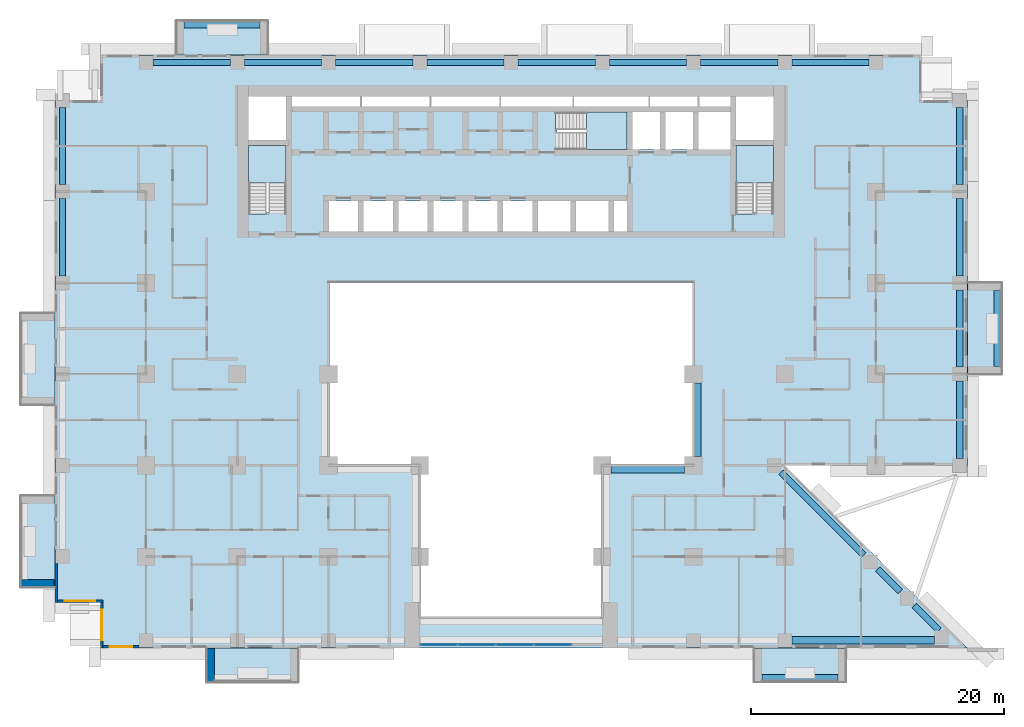
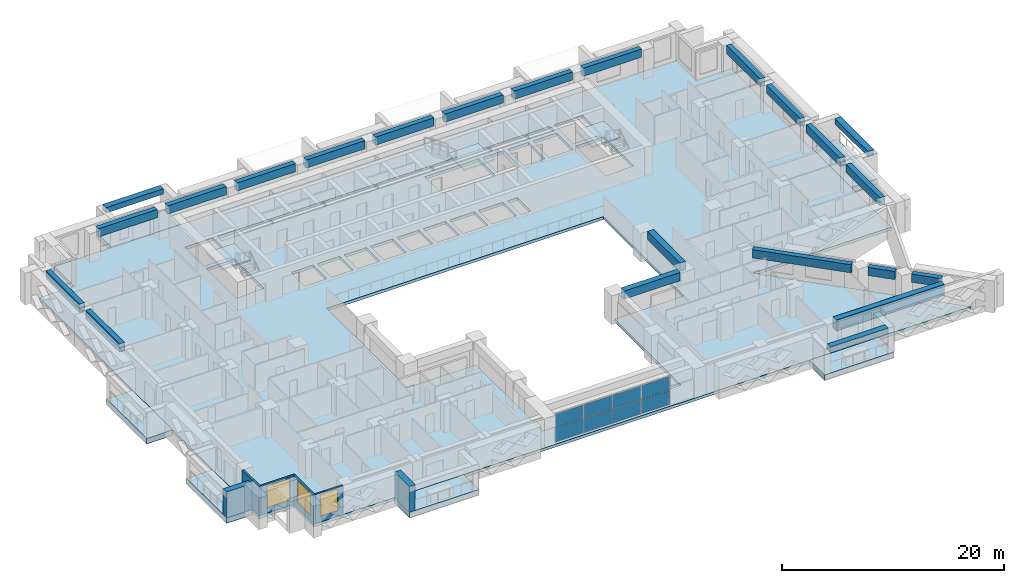
# One storey, part 5 of 17: 23 beams, 10 slabs, 8 plates, 6 walls, 3 windows, 3 openings, 4 elements without a shape of their own.
"""IFC4 building model written with IfcOpenShell, lengths in metres."""

from ifc_helpers import new_model, si_unit, direction, frame, frame_2d, origin, origin_2d, place, context, subcontext, project, spatial, polyline, rectangle, outline, extrude, source, transform, mapped, material, layer, layer_set, material_profile, profile_set, type_object, element, fill, aggregate, save


model = new_model("IFC4")

# Units and contexts
model_context = context("Model", 3, precision=1e-05, world=origin(), true_north=direction((0.0, 1.0)))
body_context = subcontext(model_context, "Body", "Model", "MODEL_VIEW")
ifc_project = project(units=[si_unit("LENGTHUNIT", "METRE"), si_unit("AREAUNIT", "SQUARE_METRE"), si_unit("VOLUMEUNIT", "CUBIC_METRE"), si_unit("PLANEANGLEUNIT", "RADIAN"), si_unit("MASSUNIT", "GRAM", prefix="KILO")], contexts=[model_context])

# Site, building, storey
site_placement = place(None, origin())
site = spatial("IfcSite", under=ifc_project, at=site_placement, CompositionType="ELEMENT")
building_placement = place(site_placement, origin())
building = spatial("IfcBuilding", under=site, at=building_placement, Name="Saffron Iwan Residences", CompositionType="ELEMENT")
storey_placement = place(building_placement, frame((0.0, 0.0, 51.5)))
storey = spatial("IfcBuildingStorey", under=building, at=storey_placement, Name="L12", CompositionType="ELEMENT", Elevation=51.5)

# Beams
ifc_material_1 = material(Name="Concrete C60/75", Category="concrete")
ifc_material_profile_1 = material_profile(ifc_material_1, rectangle(XDim=0.5, YDim=0.89990234375, at=origin_2d()), Name="RC 500x900")
ifc_profile_set_1 = profile_set([ifc_material_profile_1], Name="Concrete C60/75")
beam_type_1 = type_object("IfcBeamType", Name="SPANDREL BEAM RC 500x900 C60/75 TOP 3180", PredefinedType="SPANDREL", material=ifc_profile_set_1)
shared_shape_1 = source(origin(), body_context, "Body", "SweptSolid", [
    extrude(rectangle(XDim=0.5, YDim=0.89990234375, at=origin_2d()), origin(), (0.0, 0.0, 1.0), 6.10009765625),
])
for number, where, z_axis, x_axis, name in (
    (1, (85.800048828125, 61.85009765625, 2.72998046875), (0.0, -1.0, 0.0), (1.0, 0.0, 0.0), "Spandrel beam"),
    (2, (15.0, 62.949951171875, 2.72998046875), (0.0, 1.0, 0.0), (-1.0, 0.0, 0.0), "Spandrel beam"),
    (3, (85.800048828125, 69.050048828125, 2.72998046875), (0.0, -1.0, 0.0), (1.0, 0.0, 0.0), "Spandrel beam"),
    (4, (15.0, 70.14990234375, 2.72998046875), (0.0, 1.0, 0.0), (-1.0, 0.0, 0.0), "Spandrel beam"),
    (5, (85.800048828125, 76.25, 2.72998046875), (0.0, -1.0, 0.0), (1.0, 0.0, 0.0), "Spandrel beam"),
    (6, (22.14990234375, 79.800048828125, 2.72998046875), (1.0, 0.0, 0.0), (0.0, 1.0, 0.0), "Spandrel beam"),
    (7, (43.75, 79.800048828125, 2.72998046875), (1.0, 0.0, 0.0), (0.0, 1.0, 0.0), "Spandrel beam"),
    (8, (50.949951171875, 79.800048828125, 2.72998046875), (1.0, 0.0, 0.0), (0.0, 1.0, 0.0), "Spandrel beam"),
    (9, (58.14990234375, 79.800048828125, 2.72998046875), (1.0, 0.0, 0.0), (0.0, 1.0, 0.0), "Spandrel beam"),
):
    element("IfcBeam", number, at=place(storey_placement, frame(where, z_axis=z_axis, x_axis=x_axis)), inside=storey, type_object=beam_type_1, Name=name, PredefinedType="SPANDREL", context=body_context, shape_type="MappedRepresentation", body=[
        mapped(shared_shape_1, transform((0.0, 0.0, 0.0))),
    ])
shared_shape_2 = source(origin(), body_context, "Body", "SweptSolid", [
    extrude(rectangle(XDim=0.5, YDim=0.89990234375, at=origin_2d()), origin(), (0.0, 0.0, 1.0), 6.099853515625),
])
for number, where, z_axis, x_axis, name in (
    (10, (85.800048828125, 54.64990234375, 2.72998046875), (0.0, -1.0, 0.0), (1.0, 0.0, 0.0), "Spandrel beam"),
    (11, (29.35009765625, 79.800048828125, 2.72998046875), (1.0, 0.0, 0.0), (0.0, 1.0, 0.0), "Spandrel beam"),
    (12, (36.550048828125, 79.800048828125, 2.72998046875), (1.0, 0.0, 0.0), (0.0, 1.0, 0.0), "Spandrel beam"),
    (13, (65.35009765625, 79.800048828125, 2.72998046875), (1.0, 0.0, 0.0), (0.0, 1.0, 0.0), "Spandrel beam"),
    (14, (72.550048828125, 79.800048828125, 2.72998046875), (1.0, 0.0, 0.0), (0.0, 1.0, 0.0), "Spandrel beam"),
):
    element("IfcBeam", number, at=place(storey_placement, frame(where, z_axis=z_axis, x_axis=x_axis)), inside=storey, type_object=beam_type_1, Name=name, PredefinedType="SPANDREL", context=body_context, shape_type="MappedRepresentation", body=[
        mapped(shared_shape_2, transform((0.0, 0.0, 0.0))),
    ])
shared_shape_3 = source(origin(), body_context, "Body", "SweptSolid", [
    extrude(rectangle(XDim=0.5, YDim=0.89990234375, at=origin_2d()), origin(), (0.0, 0.0, 1.0), 2.76318359375),
])
beam_1_placement = place(storey_placement, frame((82.205810546875, 36.94580078125, 2.72998046875), z_axis=(0.707106781187, -0.707106781187, 0.0), x_axis=(0.707106781187, 0.707106781187, 0.0)))
element("IfcBeam", 15, at=beam_1_placement, inside=storey, type_object=beam_type_1, Name="Spandrel beam", PredefinedType="SPANDREL", context=body_context, shape_type="MappedRepresentation", body=[
    mapped(shared_shape_3, transform((0.0, 0.0, 0.0))),
])
shared_shape_4 = source(origin(), body_context, "Body", "SweptSolid", [
    extrude(rectangle(XDim=0.5, YDim=0.89990234375, at=origin_2d()), origin(), (0.0, 0.0, 1.0), 2.517333984375),
])
beam_2_placement = place(storey_placement, frame((79.32568359375, 39.82568359375, 2.72998046875), z_axis=(0.707106781187, -0.707106781187, 0.0), x_axis=(0.707106781187, 0.707106781187, 0.0)))
element("IfcBeam", 16, at=beam_2_placement, inside=storey, type_object=beam_type_1, Name="Spandrel beam", PredefinedType="SPANDREL", context=body_context, shape_type="MappedRepresentation", body=[
    mapped(shared_shape_4, transform((0.0, 0.0, 0.0))),
])
shared_shape_5 = source(origin(), body_context, "Body", "SweptSolid", [
    extrude(rectangle(XDim=0.5, YDim=0.89990234375, at=origin_2d()), origin(), (0.0, 0.0, 1.0), 9.228759765625),
])
beam_3_placement = place(storey_placement, frame((71.699951171875, 47.451416015625, 2.72998046875), z_axis=(0.707120008149, -0.707093553977, 0.0), x_axis=(0.707093553977, 0.707120008149, 0.0)))
element("IfcBeam", 17, at=beam_3_placement, inside=storey, type_object=beam_type_1, Name="Spandrel beam", PredefinedType="SPANDREL", context=body_context, shape_type="MappedRepresentation", body=[
    mapped(shared_shape_5, transform((0.0, 0.0, 0.0))),
])
ifc_material_profile_2 = material_profile(ifc_material_1, rectangle(XDim=0.60009765625, YDim=1.199951171875, at=origin_2d()), Name="RC 600x1200")
ifc_profile_set_2 = profile_set([ifc_material_profile_2], Name="Concrete C60/75")
beam_type_2 = type_object("IfcBeamType", Name="LINTEL BEAM RC 600x1200 C60/75 TOP 3180", PredefinedType="LINTEL", material=ifc_profile_set_2)
shared_shape_6 = source(origin(), body_context, "Body", "SweptSolid", [
    extrude(rectangle(XDim=0.60009765625, YDim=1.199951171875, at=origin_2d()), origin(), (0.0, 0.0, 1.0), 11.267333984375),
])
beam_4_placement = place(storey_placement, frame((83.8173828125, 34.199951171875, 2.580078125), z_axis=(-1.0, 0.0, 0.0), x_axis=(0.0, -1.0, 0.0)))
element("IfcBeam", 18, at=beam_4_placement, inside=storey, type_object=beam_type_2, Name="Lintel beam over the iwan", PredefinedType="LINTEL", context=body_context, shape_type="MappedRepresentation", body=[
    mapped(shared_shape_6, transform((0.0, 0.0, 0.0))),
])
ifc_material_profile_3 = material_profile(ifc_material_1, rectangle(XDim=0.60009765625, YDim=0.89990234375, at=origin_2d()), Name="RC 600x900")
ifc_profile_set_3 = profile_set([ifc_material_profile_3], Name="Concrete C60/75")
beam_type_3 = type_object("IfcBeamType", Name="BEAM RC 600x900 C60/75 TOP 3180", PredefinedType="BEAM", material=ifc_profile_set_3)
shared_shape_7 = source(origin(), body_context, "Body", "SweptSolid", [
    extrude(rectangle(XDim=0.60009765625, YDim=0.89990234375, at=origin_2d()), origin(), (0.0, 0.0, 1.0), 5.800048828125),
])
for number, where, z_axis, x_axis, name in (
    (19, (64.10009765625, 47.699951171875, 2.72998046875), (-1.0, 0.0, 0.0), (0.0, -1.0, 0.0), "Atrium edge beam"),
    (20, (65.10009765625, 54.5, 2.72998046875), (0.0, -1.0, 0.0), (1.0, 0.0, 0.0), "Atrium edge beam"),
):
    element("IfcBeam", number, at=place(storey_placement, frame(where, z_axis=z_axis, x_axis=x_axis)), inside=storey, type_object=beam_type_3, Name=name, PredefinedType="BEAM", context=body_context, shape_type="MappedRepresentation", body=[
        mapped(shared_shape_7, transform((0.0, 0.0, 0.0))),
    ])
ifc_material_2 = material(Name="Concrete C50/60 white painted", Category="concrete")
ifc_material_profile_4 = material_profile(ifc_material_2, rectangle(XDim=0.60009765625, YDim=0.60009765625, at=origin_2d()), Name="BALCONY FASCIA BEAM 600 x 600")
ifc_profile_set_4 = profile_set([ifc_material_profile_4], Name="Concrete C50/60 white painted")
beam_type_4 = type_object("IfcBeamType", Name="BALCONY FASCIA BEAM 600 x 600", PredefinedType="BEAM", material=ifc_profile_set_4)
shared_shape_8 = source(origin(), body_context, "Body", "SweptSolid", [
    extrude(rectangle(XDim=0.60009765625, YDim=0.60009765625, at=origin_2d()), origin(), (0.0, 0.0, 1.0), 6.0),
])
for number, where, z_axis, x_axis, name in (
    (21, (88.800048828125, 55.800048828125, 2.550048828125), (0.0, 1.0, 0.0), (-1.0, 0.0, 0.0), "Balcony fascia beam L12 F2-0"),
    (22, (30.60009765625, 82.800048828125, 2.550048828125), (-1.0, 0.0, 0.0), (0.0, -1.0, 0.0), "Balcony fascia beam L12 F5-3"),
    (23, (70.199951171875, 31.199951171875, 2.550048828125), (1.0, 0.0, 0.0), (0.0, 1.0, 0.0), "Balcony fascia beam L12 11-1"),
):
    element("IfcBeam", number, at=place(storey_placement, frame(where, z_axis=z_axis, x_axis=x_axis)), inside=storey, type_object=beam_type_4, Name=name, PredefinedType="BEAM", context=body_context, shape_type="MappedRepresentation", body=[
        mapped(shared_shape_8, transform((0.0, 0.0, 0.0))),
    ])

# Slabs
ifc_layer_1 = layer(ifc_material_2, 0.60009765625)
ifc_layer_set_1 = layer_set([ifc_layer_1], Name="Concrete C50/60 white painted")
slab_type_1 = type_object("IfcSlabType", Name="BALCONY FRAME SLAB 600", PredefinedType="FLOOR", material=ifc_layer_set_1)
slab_1_placement = place(storey_placement, frame((0.0, 0.0, -0.60009765625)))
element("IfcSlab", 24, at=slab_1_placement, inside=storey, type_object=slab_type_1, Name="Balcony frame slab L12 F2-0", PredefinedType="FLOOR", context=body_context, shape_type="SweptSolid", body=[
    extrude(outline(polyline([(89.10009765625, 55.199951171875), (89.10009765625, 62.39990234375), (86.39990234375, 62.39990234375), (86.39990234375, 55.199951171875), (89.10009765625, 55.199951171875)])), origin(), (0.0, 0.0, 1.0), 0.60009765625),
])
slab_2_placement = place(storey_placement, frame((0.0, 0.0, -0.60009765625)))
element("IfcSlab", 25, at=slab_2_placement, inside=storey, type_object=slab_type_1, Name="Balcony frame slab L12 F5-3", PredefinedType="FLOOR", context=body_context, shape_type="SweptSolid", body=[
    extrude(outline(polyline([(31.199951171875, 83.10009765625), (24.0, 83.10009765625), (24.0, 80.39990234375), (31.199951171875, 80.39990234375), (31.199951171875, 83.10009765625)])), origin(), (0.0, 0.0, 1.0), 0.60009765625),
])
slab_3_placement = place(storey_placement, frame((0.0, 0.0, -0.60009765625)))
element("IfcSlab", 26, at=slab_3_placement, inside=storey, type_object=slab_type_1, Name="Balcony frame slab L12 F8-1", PredefinedType="FLOOR", context=body_context, shape_type="SweptSolid", body=[
    extrude(outline(polyline([(11.699951171875, 60.0), (11.699951171875, 52.800048828125), (14.39990234375, 52.800048828125), (14.39990234375, 60.0), (11.699951171875, 60.0)])), origin(), (0.0, 0.0, 1.0), 0.60009765625),
])
slab_4_placement = place(storey_placement, frame((0.0, 0.0, -0.60009765625)))
element("IfcSlab", 27, at=slab_4_placement, inside=storey, type_object=slab_type_1, Name="Balcony frame slab L12 F8-2", PredefinedType="FLOOR", context=body_context, shape_type="SweptSolid", body=[
    extrude(outline(polyline([(11.699951171875, 45.60009765625), (11.699951171875, 38.39990234375), (14.39990234375, 38.39990234375), (14.39990234375, 45.60009765625), (11.699951171875, 45.60009765625)])), origin(), (0.0, 0.0, 1.0), 0.60009765625),
])
slab_5_placement = place(storey_placement, frame((0.0, 0.0, -0.60009765625)))
element("IfcSlab", 28, at=slab_5_placement, inside=storey, type_object=slab_type_1, Name="Balcony frame slab L12 11-0", PredefinedType="FLOOR", context=body_context, shape_type="SweptSolid", body=[
    extrude(outline(polyline([(26.39990234375, 30.89990234375), (33.60009765625, 30.89990234375), (33.60009765625, 33.60009765625), (26.39990234375, 33.60009765625), (26.39990234375, 30.89990234375)])), origin(), (0.0, 0.0, 1.0), 0.60009765625),
])
slab_6_placement = place(storey_placement, frame((0.0, 0.0, -0.60009765625)))
element("IfcSlab", 29, at=slab_6_placement, inside=storey, type_object=slab_type_1, Name="Balcony frame slab L12 11-1", PredefinedType="FLOOR", context=body_context, shape_type="SweptSolid", body=[
    extrude(outline(polyline([(69.60009765625, 30.89990234375), (76.800048828125, 30.89990234375), (76.800048828125, 33.60009765625), (69.60009765625, 33.60009765625), (69.60009765625, 30.89990234375)])), origin(), (0.0, 0.0, 1.0), 0.60009765625),
])
ifc_material_3 = material(Name="Concrete C40/50", Category="concrete")
ifc_layer_2 = layer(ifc_material_3, 0.320068359375)
ifc_layer_set_2 = layer_set([ifc_layer_2], Name="Concrete C40/50")
slab_type_2 = type_object("IfcSlabType", Name="PT PLATE 320 C40/50", PredefinedType="FLOOR", material=ifc_layer_set_2)
slab_7_placement = place(storey_placement, frame((0.0, 0.0, -0.320068359375)))
element("IfcSlab", 30, at=slab_7_placement, inside=storey, type_object=slab_type_2, Name="Floor slab L12", PredefinedType="FLOOR", context=body_context, shape_type="SweptSolid", body=[
    extrude(outline(polyline([(14.39990234375, 37.199951171875), (14.39990234375, 76.800048828125), (18.0, 76.800048828125), (18.0, 80.39990234375), (82.800048828125, 80.39990234375), (82.800048828125, 76.800048828125), (86.39990234375, 76.800048828125), (86.39990234375, 48.0), (72.0, 48.0), (86.39990234375, 33.60009765625), (18.0, 33.60009765625), (18.0, 37.199951171875), (14.39990234375, 37.199951171875)]), holes=[polyline([(64.800048828125, 48.0), (64.800048828125, 62.39990234375), (36.0, 62.39990234375), (36.0, 48.0), (43.199951171875, 48.0), (43.199951171875, 36.0), (57.60009765625, 36.0), (57.60009765625, 48.0), (64.800048828125, 48.0)]), polyline([(38.324951171875, 68.875), (36.02490234375, 68.875), (36.02490234375, 66.449951171875), (38.324951171875, 66.449951171875), (38.324951171875, 68.875)]), polyline([(41.074951171875, 66.449951171875), (41.074951171875, 68.875), (38.77490234375, 68.875), (38.77490234375, 66.449951171875), (41.074951171875, 66.449951171875)]), polyline([(43.824951171875, 66.449951171875), (43.824951171875, 68.875), (41.52490234375, 68.875), (41.52490234375, 66.449951171875), (43.824951171875, 66.449951171875)]), polyline([(46.574951171875, 68.875), (44.27490234375, 68.875), (44.27490234375, 66.449951171875), (46.574951171875, 66.449951171875), (46.574951171875, 68.875)]), polyline([(49.324951171875, 66.449951171875), (49.324951171875, 68.875), (47.02490234375, 68.875), (47.02490234375, 66.449951171875), (49.324951171875, 66.449951171875)]), polyline([(52.074951171875, 66.449951171875), (52.074951171875, 68.875), (49.77490234375, 68.875), (49.77490234375, 66.449951171875), (52.074951171875, 66.449951171875)]), polyline([(29.699951171875, 73.25), (29.699951171875, 67.949951171875), (29.699951171875, 67.8505859375), (31.10009765625, 67.8505859375), (31.10009765625, 67.949951171875), (32.64990234375, 67.949951171875), (32.64990234375, 73.25), (29.699951171875, 73.25)]), polyline([(32.64990234375, 73.699951171875), (32.64990234375, 77.10009765625), (29.699951171875, 77.10009765625), (29.699951171875, 73.699951171875), (32.64990234375, 73.699951171875)]), polyline([(38.5, 76.324951171875), (38.5, 77.10009765625), (33.10009765625, 77.10009765625), (33.10009765625, 76.324951171875), (38.5, 76.324951171875)]), polyline([(44.0, 77.10009765625), (38.60009765625, 77.10009765625), (38.60009765625, 76.324951171875), (44.0, 76.324951171875), (44.0, 77.10009765625)]), polyline([(49.5, 76.324951171875), (49.5, 77.10009765625), (44.10009765625, 77.10009765625), (44.10009765625, 76.324951171875), (49.5, 76.324951171875)]), polyline([(55.25, 76.324951171875), (55.25, 77.10009765625), (49.60009765625, 77.10009765625), (49.60009765625, 76.324951171875), (55.25, 76.324951171875)]), polyline([(55.074951171875, 68.875), (52.52490234375, 68.875), (52.52490234375, 66.449951171875), (55.074951171875, 66.449951171875), (55.074951171875, 68.875)]), polyline([(58.074951171875, 66.449951171875), (58.074951171875, 68.875), (55.52490234375, 68.875), (55.52490234375, 66.449951171875), (58.074951171875, 66.449951171875)]), polyline([(59.550048828125, 66.449951171875), (59.550048828125, 68.875), (58.52490234375, 68.875), (58.52490234375, 66.449951171875), (59.550048828125, 66.449951171875)]), polyline([(68.14990234375, 73.25), (68.14990234375, 67.949951171875), (68.14990234375, 67.8505859375), (69.550048828125, 67.8505859375), (69.550048828125, 67.949951171875), (71.10009765625, 67.949951171875), (71.10009765625, 73.25), (68.14990234375, 73.25)]), polyline([(53.925537109375, 74.47509765625), (54.02490234375, 74.47509765625), (54.02490234375, 72.925048828125), (59.550048828125, 72.925048828125), (59.550048828125, 75.875), (54.02490234375, 75.875), (53.925537109375, 75.875), (53.925537109375, 74.47509765625)]), polyline([(62.14990234375, 72.925048828125), (62.14990234375, 75.875), (60.0, 75.875), (60.0, 72.925048828125), (62.14990234375, 72.925048828125)]), polyline([(64.75, 75.875), (62.60009765625, 75.875), (62.60009765625, 72.925048828125), (64.75, 72.925048828125), (64.75, 75.875)]), polyline([(67.699951171875, 72.925048828125), (67.699951171875, 75.875), (65.199951171875, 75.875), (65.199951171875, 72.925048828125), (67.699951171875, 72.925048828125)]), polyline([(71.10009765625, 73.699951171875), (71.10009765625, 77.10009765625), (68.14990234375, 77.10009765625), (68.14990234375, 73.699951171875), (71.10009765625, 73.699951171875)]), polyline([(61.25, 77.10009765625), (55.35009765625, 77.10009765625), (55.35009765625, 76.324951171875), (61.25, 76.324951171875), (61.25, 77.10009765625)]), polyline([(65.14990234375, 76.324951171875), (65.14990234375, 77.10009765625), (61.35009765625, 77.10009765625), (61.35009765625, 76.324951171875), (65.14990234375, 76.324951171875)]), polyline([(67.699951171875, 76.324951171875), (67.699951171875, 77.10009765625), (65.25, 77.10009765625), (65.25, 76.324951171875), (67.699951171875, 76.324951171875)])]), origin(), (0.0, 0.0, 1.0), 0.320068359375),
])

# Stair, slab
ifc_material_4 = material(Name="Concrete C50/60", Category="concrete")
stair_type = type_object("IfcStairType", Name="Stair ST-CORE", PredefinedType="HALF_TURN_STAIR", material=ifc_material_4)
stair_1_placement = place(storey_placement, origin())
stair_1 = element("IfcStair", 31, at=stair_1_placement, inside=storey, type_object=stair_type, Name="L12 Exit Stair ST-W", PredefinedType="HALF_TURN_STAIR")
ifc_layer_3 = layer(ifc_material_4, 0.199951171875)
ifc_layer_set_3 = layer_set([ifc_layer_3], Name="Concrete C50/60")
slab_type_3 = type_object("IfcSlabType", Name="Stair landing SL-RC", PredefinedType="LANDING", material=ifc_layer_set_3)
slab_8_placement = place(storey_placement, frame((0.0, 0.0, 1.5498046875)))
slab_8 = element("IfcSlab", 32, at=slab_8_placement, type_object=slab_type_3, Name="ST-W landing 1", PredefinedType="LANDING", context=body_context, shape_type="SweptSolid", body=[
    extrude(outline(polyline([(32.64990234375, 70.280029296875), (32.64990234375, 73.25), (29.699951171875, 73.25), (29.699951171875, 70.280029296875), (32.64990234375, 70.280029296875)])), origin(), (0.0, 0.0, 1.0), 0.2001953125),
])
aggregate(stair_1, [slab_8])

stair_2_placement = place(storey_placement, origin())
stair_2 = element("IfcStair", 33, at=stair_2_placement, inside=storey, type_object=stair_type, Name="L12 Exit Stair ST-C", PredefinedType="HALF_TURN_STAIR")
slab_9_placement = place(storey_placement, frame((0.0, 0.0, 1.5498046875)))
slab_9 = element("IfcSlab", 34, at=slab_9_placement, type_object=slab_type_3, Name="ST-C landing 1", PredefinedType="LANDING", context=body_context, shape_type="SweptSolid", body=[
    extrude(outline(polyline([(56.35498046875, 72.925048828125), (59.550048828125, 72.925048828125), (59.550048828125, 75.875), (56.35498046875, 75.875), (56.35498046875, 72.925048828125)])), origin(), (0.0, 0.0, 1.0), 0.2001953125),
])
aggregate(stair_2, [slab_9])

stair_3_placement = place(storey_placement, origin())
stair_3 = element("IfcStair", 35, at=stair_3_placement, inside=storey, type_object=stair_type, Name="L12 Exit Stair ST-E", PredefinedType="HALF_TURN_STAIR")
slab_10_placement = place(storey_placement, frame((0.0, 0.0, 1.5498046875)))
slab_10 = element("IfcSlab", 36, at=slab_10_placement, type_object=slab_type_3, Name="ST-E landing 1", PredefinedType="LANDING", context=body_context, shape_type="SweptSolid", body=[
    extrude(outline(polyline([(71.10009765625, 70.280029296875), (71.10009765625, 73.25), (68.14990234375, 73.25), (68.14990234375, 70.280029296875), (71.10009765625, 70.280029296875)])), origin(), (0.0, 0.0, 1.0), 0.2001953125),
])
aggregate(stair_3, [slab_10])

# Curtain wall, plates
ifc_material_5 = material(Name="Clear glass, laminated double glazed", Category="glass")
ifc_layer_4 = layer(ifc_material_5, 0.199951171875)
ifc_layer_set_4 = layer_set([ifc_layer_4], Name="Clear glass, laminated double glazed")
curtain_wall_type = type_object("IfcCurtainWallType", Name="CW-B IWAN PORTAL", PredefinedType="NOTDEFINED", material=ifc_layer_set_4)
curtain_wall_placement = place(storey_placement, origin())
curtain_wall = element("IfcCurtainWall", 37, at=curtain_wall_placement, inside=storey, type_object=curtain_wall_type, Name="Iwan portal glazing L12.1", PredefinedType="NOTDEFINED")
ifc_layer_5 = layer(ifc_material_5, 0.028076171875)
ifc_layer_set_5 = layer_set([ifc_layer_5], Name="Clear glass, laminated double glazed")
plate_type = type_object("IfcPlateType", Name="CW-B PANEL 28", PredefinedType="CURTAIN_PANEL", material=ifc_layer_set_5)
shared_shape_9 = source(origin(), body_context, "Body", "SweptSolid", [
    extrude(rectangle(XDim=2.909912109375, YDim=0.028076171875, at=origin_2d()), origin(), (0.0, 0.0, 1.0), 1.5),
])
plate_1_placement = place(storey_placement, frame((44.715087890625, 33.85009765625, 0.06005859375), z_axis=(0.0, 0.0, 1.0), x_axis=(1.0, 0.0, 0.0)))
plate_1 = element("IfcPlate", 38, at=plate_1_placement, type_object=plate_type, Name="CW-B panel 1.1", PredefinedType="CURTAIN_PANEL", context=body_context, shape_type="MappedRepresentation", body=[
    mapped(shared_shape_9, transform((0.0, 0.0, 0.0))),
])
plate_2_placement = place(storey_placement, frame((44.715087890625, 33.85009765625, 1.6201171875), z_axis=(0.0, 0.0, 1.0), x_axis=(1.0, 0.0, 0.0)))
plate_2 = element("IfcPlate", 39, at=plate_2_placement, type_object=plate_type, Name="CW-B panel 1.2", PredefinedType="CURTAIN_PANEL", context=body_context, shape_type="MappedRepresentation", body=[
    mapped(shared_shape_9, transform((0.0, 0.0, 0.0))),
])
plate_3_placement = place(storey_placement, frame((53.68505859375, 33.85009765625, 0.06005859375), z_axis=(0.0, 0.0, 1.0), x_axis=(1.0, 0.0, 0.0)))
plate_3 = element("IfcPlate", 40, at=plate_3_placement, type_object=plate_type, Name="CW-B panel 4.1", PredefinedType="CURTAIN_PANEL", context=body_context, shape_type="MappedRepresentation", body=[
    mapped(shared_shape_9, transform((0.0, 0.0, 0.0))),
])
plate_4_placement = place(storey_placement, frame((53.68505859375, 33.85009765625, 1.6201171875), z_axis=(0.0, 0.0, 1.0), x_axis=(1.0, 0.0, 0.0)))
plate_4 = element("IfcPlate", 41, at=plate_4_placement, type_object=plate_type, Name="CW-B panel 4.2", PredefinedType="CURTAIN_PANEL", context=body_context, shape_type="MappedRepresentation", body=[
    mapped(shared_shape_9, transform((0.0, 0.0, 0.0))),
])
shared_shape_10 = source(origin(), body_context, "Body", "SweptSolid", [
    extrude(rectangle(XDim=2.93994140625, YDim=0.028076171875, at=origin_2d()), origin(), (0.0, 0.0, 1.0), 1.5),
])
plate_5_placement = place(storey_placement, frame((47.699951171875, 33.85009765625, 0.06005859375), z_axis=(0.0, 0.0, 1.0), x_axis=(1.0, 0.0, 0.0)))
plate_5 = element("IfcPlate", 42, at=plate_5_placement, type_object=plate_type, Name="CW-B panel 2.1", PredefinedType="CURTAIN_PANEL", context=body_context, shape_type="MappedRepresentation", body=[
    mapped(shared_shape_10, transform((0.0, 0.0, 0.0))),
])
plate_6_placement = place(storey_placement, frame((47.699951171875, 33.85009765625, 1.6201171875), z_axis=(0.0, 0.0, 1.0), x_axis=(1.0, 0.0, 0.0)))
plate_6 = element("IfcPlate", 43, at=plate_6_placement, type_object=plate_type, Name="CW-B panel 2.2", PredefinedType="CURTAIN_PANEL", context=body_context, shape_type="MappedRepresentation", body=[
    mapped(shared_shape_10, transform((0.0, 0.0, 0.0))),
])
plate_7_placement = place(storey_placement, frame((50.699951171875, 33.85009765625, 0.06005859375), z_axis=(0.0, 0.0, 1.0), x_axis=(1.0, 0.0, 0.0)))
plate_7 = element("IfcPlate", 44, at=plate_7_placement, type_object=plate_type, Name="CW-B panel 3.1", PredefinedType="CURTAIN_PANEL", context=body_context, shape_type="MappedRepresentation", body=[
    mapped(shared_shape_10, transform((0.0, 0.0, 0.0))),
])
plate_8_placement = place(storey_placement, frame((50.699951171875, 33.85009765625, 1.6201171875), z_axis=(0.0, 0.0, 1.0), x_axis=(1.0, 0.0, 0.0)))
plate_8 = element("IfcPlate", 45, at=plate_8_placement, type_object=plate_type, Name="CW-B panel 3.2", PredefinedType="CURTAIN_PANEL", context=body_context, shape_type="MappedRepresentation", body=[
    mapped(shared_shape_10, transform((0.0, 0.0, 0.0))),
])
aggregate(curtain_wall, [plate_1, plate_2, plate_5, plate_6, plate_7, plate_8, plate_3, plate_4])

# Walls
ifc_layer_6 = layer(ifc_material_2, 0.60009765625)
ifc_layer_set_6 = layer_set([ifc_layer_6], Name="Concrete C50/60 white painted")
wall_type_1 = type_object("IfcWallType", Name="BALCONY FIN 600", PredefinedType="SOLIDWALL", material=ifc_layer_set_6)
for number, where, z_axis, x_axis, name in (
    (46, (14.35009765625, 38.699951171875, 0.0), (0.0, 0.0, 1.0), (-1.0, 0.0, 0.0), "Balcony fin L12 F8-2b"),
    (47, (26.699951171875, 33.550048828125, 0.0), (0.0, 0.0, 1.0), (0.0, -1.0, 0.0), "Balcony fin L12 11-0a"),
):
    element("IfcWall", number, at=place(storey_placement, frame(where, z_axis=z_axis, x_axis=x_axis)), inside=storey, type_object=wall_type_1, Name=name, PredefinedType="SOLIDWALL", context=body_context, shape_type="SweptSolid", body=[
        extrude(rectangle(XDim=2.650146484375, YDim=0.60009765625, at=frame_2d((1.3251953125, 0.0))), origin(), (0.0, 0.0, 1.0), 2.85009765625),
    ])
ifc_layer_7 = layer(ifc_material_3, 0.199951171875)
ifc_layer_set_7 = layer_set([ifc_layer_7], Name="Concrete C40/50")
wall_type_2 = type_object("IfcWallType", Name="EXTERNAL WALL 200", PredefinedType="SOLIDWALL", material=ifc_layer_set_7)
wall_1_placement = place(storey_placement, frame((14.5, 40.25, 0.0), z_axis=(0.0, 0.0, 1.0), x_axis=(0.0, -1.0, 0.0)))
element("IfcWall", 48, at=wall_1_placement, inside=storey, type_object=wall_type_2, Name="External wall L12 F8.5", PredefinedType="SOLIDWALL", context=body_context, shape_type="SweptSolid", body=[
    extrude(rectangle(XDim=3.050048828125, YDim=0.199951171875, at=frame_2d((1.52490234375, 0.0))), origin(), (0.0, 0.0, 1.0), 3.179931640625),
])

# Wall, opening, window
wall_2_placement = place(storey_placement, frame((14.60009765625, 37.300048828125, 0.0), z_axis=(0.0, 0.0, 1.0), x_axis=(1.0, 0.0, 0.0)))
wall_2 = element("IfcWall", 49, at=wall_2_placement, inside=storey, type_object=wall_type_2, Name="External wall L12 F9.0", PredefinedType="SOLIDWALL", context=body_context, shape_type="SweptSolid", body=[
    extrude(rectangle(XDim=3.599853515625, YDim=0.199951171875, at=frame_2d((1.7998046875, 0.0))), origin(), (0.0, 0.0, 1.0), 3.179931640625),
])
opening_1_placement = place(wall_2_placement, frame((0.60009765625, 0.0, 0.60009765625)))
opening_1 = element("IfcOpeningElement", 50, at=opening_1_placement, cuts=wall_2, Name="Opening W1", PredefinedType="OPENING", context=body_context, shape_type="SweptSolid", body=[
    extrude(rectangle(XDim=2.39990234375, YDim=2.39990234375, at=frame_2d((1.199951171875, 1.199951171875))), frame((0.0, 0.10986328125, 0.0), z_axis=(0.0, -1.0, 0.0), x_axis=(1.0, 0.0, 0.0)), (0.0, 0.0, 1.0), 0.219970703125),
])
window_type_1 = type_object("IfcWindowType", Name="WINDOW 2400 x 2400", PartitioningType="DOUBLE_PANEL_VERTICAL", PredefinedType="WINDOW", material=ifc_material_5)
window_1_placement = place(opening_1_placement, origin())
window_1 = element("IfcWindow", 51, at=window_1_placement, inside=storey, type_object=window_type_1, Name="Window L12 F9.0", OverallHeight=2.39990234375, OverallWidth=2.39990234375, PartitioningType="DOUBLE_PANEL_VERTICAL", PredefinedType="WINDOW", context=body_context, shape_type="SweptSolid", body=[
    extrude(rectangle(XDim=2.39990234375, YDim=2.39990234375, at=frame_2d((1.199951171875, 1.199951171875))), frame((0.0, 0.030029296875, 0.0), z_axis=(0.0, -1.0, 0.0), x_axis=(1.0, 0.0, 0.0)), (0.0, 0.0, 1.0), 0.06005859375),
])
fill(opening_1, window_1)

wall_3_placement = place(storey_placement, frame((18.10009765625, 37.199951171875, 0.0), z_axis=(0.0, 0.0, 1.0), x_axis=(0.0, -1.0, 0.0)))
wall_3 = element("IfcWall", 52, at=wall_3_placement, inside=storey, type_object=wall_type_2, Name="External wall L12 F10.0", PredefinedType="SOLIDWALL", context=body_context, shape_type="SweptSolid", body=[
    extrude(rectangle(XDim=3.599853515625, YDim=0.199951171875, at=frame_2d((1.7998046875, 0.0))), origin(), (0.0, 0.0, 1.0), 3.179931640625),
])
opening_2_placement = place(wall_3_placement, frame((0.60009765625, 0.0, 0.60009765625)))
opening_2 = element("IfcOpeningElement", 53, at=opening_2_placement, cuts=wall_3, Name="Opening W1", PredefinedType="OPENING", context=body_context, shape_type="SweptSolid", body=[
    extrude(rectangle(XDim=2.39990234375, YDim=2.39990234375, at=frame_2d((1.199951171875, 1.199951171875))), frame((0.0, 0.10986328125, 0.0), z_axis=(0.0, -1.0, 0.0), x_axis=(1.0, 0.0, 0.0)), (0.0, 0.0, 1.0), 0.219970703125),
])
window_2_placement = place(opening_2_placement, origin())
window_2 = element("IfcWindow", 54, at=window_2_placement, inside=storey, type_object=window_type_1, Name="Window L12 F10.0", OverallHeight=2.39990234375, OverallWidth=2.39990234375, PartitioningType="DOUBLE_PANEL_VERTICAL", PredefinedType="WINDOW", context=body_context, shape_type="SweptSolid", body=[
    extrude(rectangle(XDim=2.39990234375, YDim=2.39990234375, at=frame_2d((1.199951171875, 1.199951171875))), frame((0.0, 0.030029296875, 0.0), z_axis=(0.0, -1.0, 0.0), x_axis=(1.0, 0.0, 0.0)), (0.0, 0.0, 1.0), 0.06005859375),
])
fill(opening_2, window_2)

wall_4_placement = place(storey_placement, frame((18.199951171875, 33.699951171875, 0.0), z_axis=(0.0, 0.0, 1.0), x_axis=(1.0, 0.0, 0.0)))
wall_4 = element("IfcWall", 55, at=wall_4_placement, inside=storey, type_object=wall_type_2, Name="External wall L12 F11.0", PredefinedType="SOLIDWALL", context=body_context, shape_type="SweptSolid", body=[
    extrude(rectangle(XDim=2.85009765625, YDim=0.199951171875, at=frame_2d((1.425048828125, 0.0))), origin(), (0.0, 0.0, 1.0), 3.179931640625),
])
opening_3_placement = place(wall_4_placement, frame((0.52490234375, 0.0, 0.60009765625)))
opening_3 = element("IfcOpeningElement", 56, at=opening_3_placement, cuts=wall_4, Name="Opening W8", PredefinedType="OPENING", context=body_context, shape_type="SweptSolid", body=[
    extrude(rectangle(XDim=1.800048828125, YDim=2.39990234375, at=frame_2d((0.89990234375, 1.199951171875))), frame((0.0, 0.10986328125, 0.0), z_axis=(0.0, -1.0, 0.0), x_axis=(1.0, 0.0, 0.0)), (0.0, 0.0, 1.0), 0.219970703125),
])
window_type_2 = type_object("IfcWindowType", Name="WINDOW 1800 x 2400", PartitioningType="DOUBLE_PANEL_VERTICAL", PredefinedType="WINDOW", material=ifc_material_5)
window_3_placement = place(opening_3_placement, origin())
window_3 = element("IfcWindow", 57, at=window_3_placement, inside=storey, type_object=window_type_2, Name="Window L12 F11.0", OverallHeight=2.39990234375, OverallWidth=1.800048828125, PartitioningType="DOUBLE_PANEL_VERTICAL", PredefinedType="WINDOW", context=body_context, shape_type="SweptSolid", body=[
    extrude(rectangle(XDim=1.800048828125, YDim=2.39990234375, at=frame_2d((0.89990234375, 1.199951171875))), frame((0.0, 0.030029296875, 0.0), z_axis=(0.0, -1.0, 0.0), x_axis=(1.0, 0.0, 0.0)), (0.0, 0.0, 1.0), 0.06005859375),
])
fill(opening_3, window_3)

save(model, "model.ifc")
